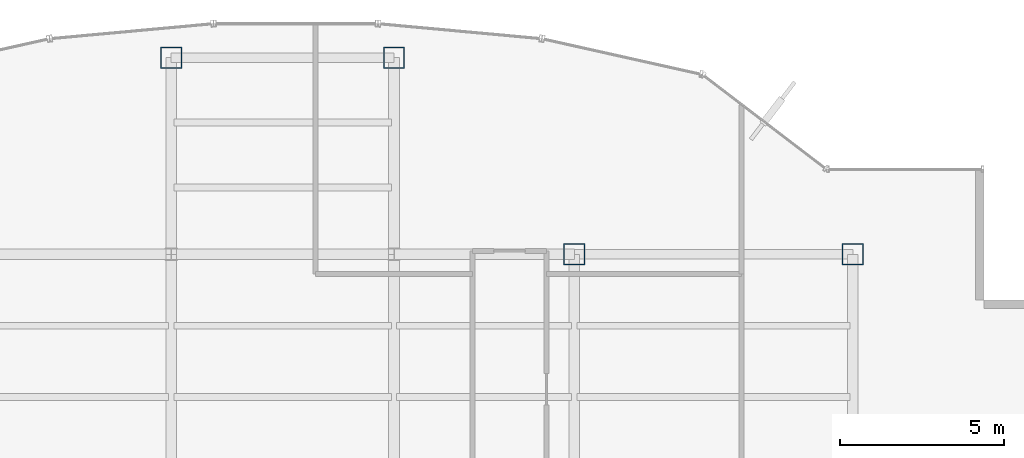
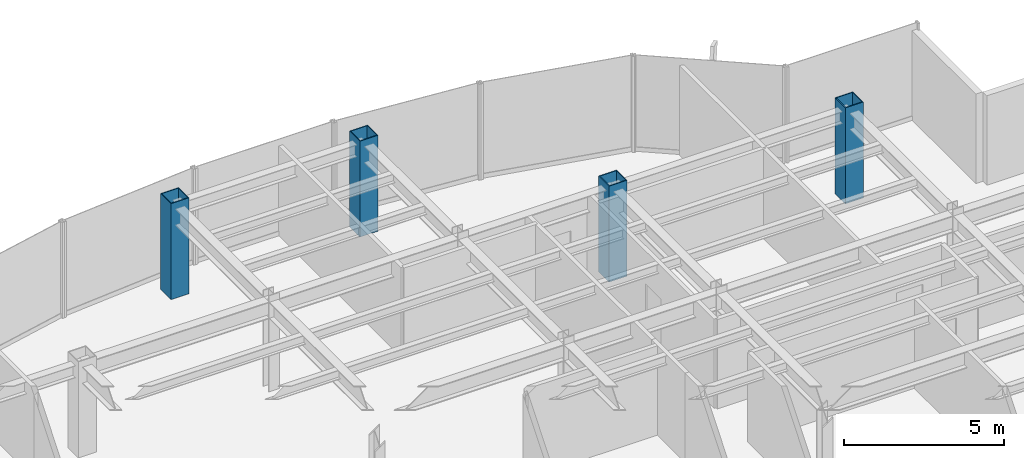
# One storey, part 2 of 25: 4 columns.
"""IFC4 building model written with IfcOpenShell, lengths in metres."""

from ifc_helpers import new_model, si_unit, derived_unit, direction, frame, origin, origin_2d, place, context, subcontext, project, spatial, hollow_rectangle, extrude, source, transform, mapped, material, material_profile, profile_set, type_object, element, save


model = new_model("IFC4")

# Units and contexts
model_context = context("Model", 3, precision=1e-05, world=origin(), true_north=direction((0.0, 1.0)))
body_context = subcontext(model_context, "Body", "Model", "MODEL_VIEW")
ifc_project = project(units=[si_unit("LENGTHUNIT", "METRE"), si_unit("AREAUNIT", "SQUARE_METRE"), si_unit("VOLUMEUNIT", "CUBIC_METRE"), si_unit("PLANEANGLEUNIT", "RADIAN"), si_unit("MASSUNIT", "GRAM", prefix="KILO"), derived_unit("THERMALTRANSMITTANCEUNIT", [(si_unit("POWERUNIT", "WATT"), 1), (si_unit("LENGTHUNIT", "METRE"), -2), (si_unit("THERMODYNAMICTEMPERATUREUNIT", "KELVIN"), -1)])], contexts=[model_context])

# Site, building, storey
site_placement = place(None, origin())
site = spatial("IfcSite", under=ifc_project, at=site_placement, CompositionType="ELEMENT")
building_placement = place(site_placement, origin())
building = spatial("IfcBuilding", under=site, at=building_placement, Name="Skarnbrae Concourse Arena and Tower", CompositionType="ELEMENT")
storey_placement = place(building_placement, frame((0.0, 0.0, 151.550048828125)))
storey = spatial("IfcBuildingStorey", under=building, at=storey_placement, Name="L38", CompositionType="ELEMENT", Elevation=151.550048828125)

# Columns
ifc_material = material(Name="Steel CSA G40.21 350W", Category="steel")
ifc_material_profile = material_profile(ifc_material, hollow_rectangle(XDim=0.64990234375, YDim=0.64990234375, WallThickness=0.031982421875, at=origin_2d()), Name="BOX650X650X32")
ifc_profile_set = profile_set([ifc_material_profile], Name="Steel CSA G40.21 350W")
column_type = type_object("IfcColumnType", Name="COL-TUBE-BOX650", PredefinedType="COLUMN", material=ifc_profile_set)
shared_shape = source(origin(), body_context, "Body", "SweptSolid", [
    extrude(hollow_rectangle(XDim=0.64990234375, YDim=0.64990234375, WallThickness=0.031982421875, at=origin_2d()), origin(), (0.0, 0.0, 1.0), 3.64990234375),
])
for number, where, z_axis, x_axis, name in (
    (1, (21.199951171875, 40.39990234375, 0.0), (0.0, 0.0, 1.0), (1.0, 0.0, 0.0), "L38 Tower column PC_04_06"),
    (2, (28.0, 40.39990234375, 0.0), (0.0, 0.0, 1.0), (1.0, 0.0, 0.0), "L38 Tower column PC_05_06"),
    (3, (33.5, 34.39990234375, 0.0), (0.0, 0.0, 1.0), (1.0, 0.0, 0.0), "L38 Tower column PC_06_05"),
    (4, (42.0, 34.39990234375, 0.0), (0.0, 0.0, 1.0), (1.0, 0.0, 0.0), "L38 Tower column PC_07_05"),
):
    element("IfcColumn", number, at=place(storey_placement, frame(where, z_axis=z_axis, x_axis=x_axis)), inside=storey, type_object=column_type, Name=name, PredefinedType="COLUMN", context=body_context, shape_type="MappedRepresentation", body=[
        mapped(shared_shape, transform((0.0, 0.0, 0.0))),
    ])

save(model, "model.ifc")
